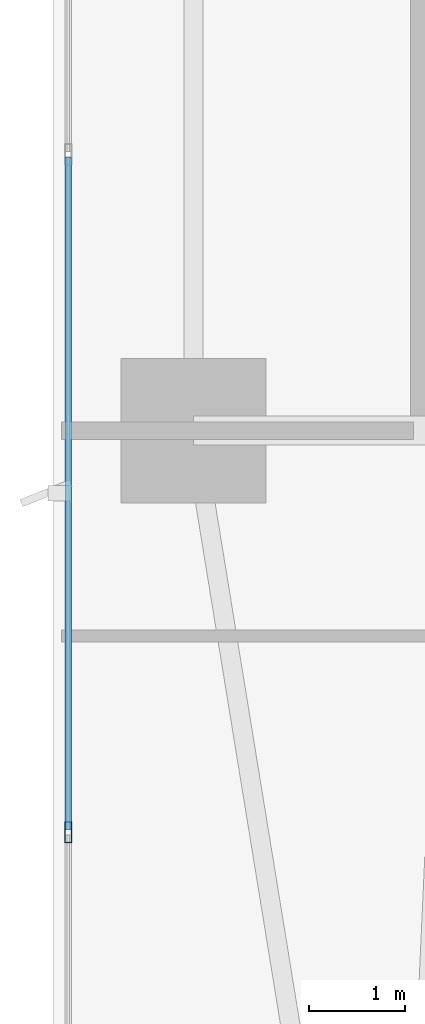
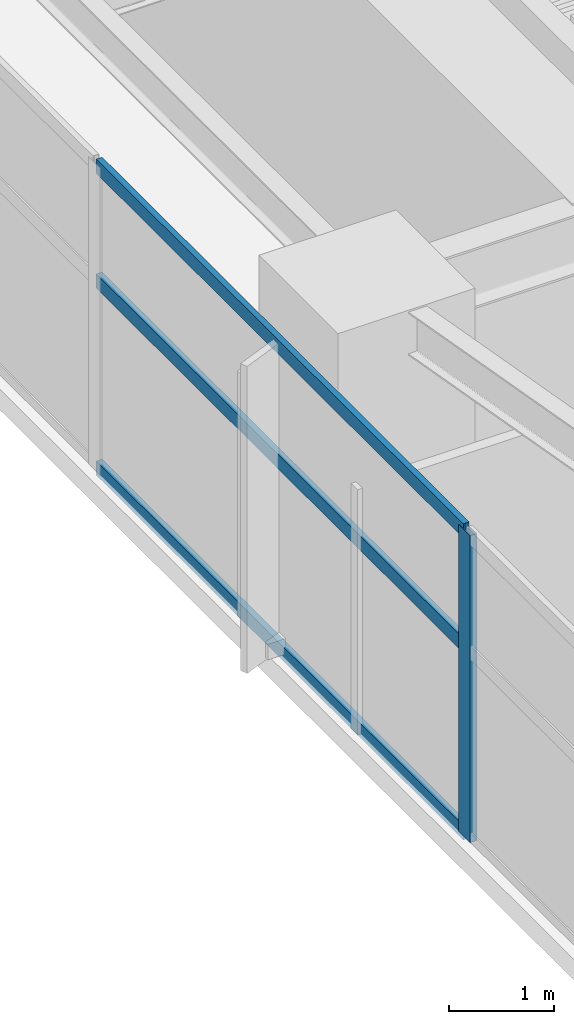
# One storey, part 4 of 30: 4 members, 1 element without a shape of its own.
"""IFC4 building model written with IfcOpenShell, lengths in metres."""

from ifc_helpers import new_model, si_unit, direction, frame, origin, origin_2d, place, context, subcontext, project, spatial, hollow_rectangle, extrude, material, layer, layer_set, material_profile, profile_set, type_object, element, aggregate, save


model = new_model("IFC4")

# Units and contexts
model_context = context("Model", 3, precision=1e-05, world=origin(), true_north=direction((0.0, 1.0)))
body_context = subcontext(model_context, "Body", "Model", "MODEL_VIEW")
ifc_project = project(units=[si_unit("LENGTHUNIT", "METRE"), si_unit("AREAUNIT", "SQUARE_METRE"), si_unit("VOLUMEUNIT", "CUBIC_METRE"), si_unit("PLANEANGLEUNIT", "RADIAN"), si_unit("MASSUNIT", "GRAM", prefix="KILO")], contexts=[model_context])

# Site, building, storey
site_placement = place(None, origin())
site = spatial("IfcSite", under=ifc_project, at=site_placement, CompositionType="ELEMENT")
building_placement = place(site_placement, origin())
building = spatial("IfcBuilding", under=site, at=building_placement, Name="Calvorn Quay Hotel", CompositionType="ELEMENT")
storey_placement = place(building_placement, frame((0.0, 0.0, 27.0)))
storey = spatial("IfcBuildingStorey", under=building, at=storey_placement, Name="L05", CompositionType="ELEMENT", Elevation=27.0)

# Curtain wall, members
ifc_material_1 = material(Name="Pale Anodised Aluminium and Low-E Glass", Category="aluminium")
ifc_layer = layer(ifc_material_1, 0.219970703125)
ifc_layer_set = layer_set([ifc_layer], Name="CW-SYS-Z1")
curtain_wall_type = type_object("IfcCurtainWallType", Name="CW-SYS-Z1", PredefinedType="NOTDEFINED", material=ifc_layer_set)
curtain_wall_placement = place(storey_placement, origin())
curtain_wall = element("IfcCurtainWall", 1, at=curtain_wall_placement, inside=storey, type_object=curtain_wall_type, Name="Tower West Curtain Wall (L05)", PredefinedType="NOTDEFINED")
ifc_material_2 = material(Name="Pale Anodised Aluminium 6063-T6", Category="aluminium")
ifc_material_profile_1 = material_profile(ifc_material_2, hollow_rectangle(XDim=0.074951171875, YDim=0.219970703125, WallThickness=0.00439453125, at=origin_2d()), Name="ALU-M220x75x4.5")
ifc_profile_set_1 = profile_set([ifc_material_profile_1], Name="Pale Anodised Aluminium 6063-T6")
member_type_1 = type_object("IfcMemberType", Name="CW-SYS-Z1-MUL", PredefinedType="MULLION", material=ifc_profile_set_1)
member_1_placement = place(storey_placement, frame((0.14990234375, 12.63330078125, 0.0), z_axis=(0.0, 0.0, 1.0), x_axis=(-1.0, 0.0, 0.0)))
member_1 = element("IfcMember", 2, at=member_1_placement, type_object=member_type_1, Name="CW-L05-W mullion 2", PredefinedType="MULLION", context=body_context, shape_type="SweptSolid", body=[
    extrude(hollow_rectangle(XDim=0.074951171875, YDim=0.219970703125, WallThickness=0.00439453125, at=origin_2d()), origin(), (0.0, 0.0, 1.0), 3.56005859375),
])
ifc_material_3 = material(Name="Pale Anodised Aluminium 6063-T6", Category="aluminium")
ifc_material_profile_2 = material_profile(ifc_material_3, hollow_rectangle(XDim=0.06494140625, YDim=0.1650390625, WallThickness=0.00341796875, at=origin_2d()), Name="ALU-T165x65x3.5")
ifc_profile_set_2 = profile_set([ifc_material_profile_2], Name="Pale Anodised Aluminium 6063-T6")
member_type_2 = type_object("IfcMemberType", Name="CW-SYS-Z1-TRN", PredefinedType="USERDEFINED", material=ifc_profile_set_2)
member_2_placement = place(storey_placement, frame((0.14990234375, 12.663330078125, 0.030029296875), z_axis=(0.0, 1.0, 0.0), x_axis=(-1.0, 0.0, 0.0)))
member_2 = element("IfcMember", 3, at=member_2_placement, type_object=member_type_2, Name="CW-L05-W transom 2.1", ObjectType="TRANSOM", PredefinedType="USERDEFINED", context=body_context, shape_type="SweptSolid", body=[
    extrude(hollow_rectangle(XDim=0.06494140625, YDim=0.1650390625, WallThickness=0.00341796875, at=origin_2d()), origin(), (0.0, 0.0, 1.0), 6.973388671875),
])
member_3_placement = place(storey_placement, frame((0.14990234375, 12.663330078125, 2.199951171875), z_axis=(0.0, 1.0, 0.0), x_axis=(-1.0, 0.0, 0.0)))
member_3 = element("IfcMember", 4, at=member_3_placement, type_object=member_type_2, Name="CW-L05-W transom 2.2", ObjectType="TRANSOM", PredefinedType="USERDEFINED", context=body_context, shape_type="SweptSolid", body=[
    extrude(hollow_rectangle(XDim=0.06494140625, YDim=0.1650390625, WallThickness=0.00341796875, at=origin_2d()), origin(), (0.0, 0.0, 1.0), 6.973388671875),
])
member_4_placement = place(storey_placement, frame((0.14990234375, 12.663330078125, 3.530029296875), z_axis=(0.0, 1.0, 0.0), x_axis=(-1.0, 0.0, 0.0)))
member_4 = element("IfcMember", 5, at=member_4_placement, type_object=member_type_2, Name="CW-L05-W transom 2.3", ObjectType="TRANSOM", PredefinedType="USERDEFINED", context=body_context, shape_type="SweptSolid", body=[
    extrude(hollow_rectangle(XDim=0.06494140625, YDim=0.1650390625, WallThickness=0.00341796875, at=origin_2d()), origin(), (0.0, 0.0, 1.0), 6.973388671875),
])
aggregate(curtain_wall, [member_1, member_2, member_3, member_4])

save(model, "model.ifc")
